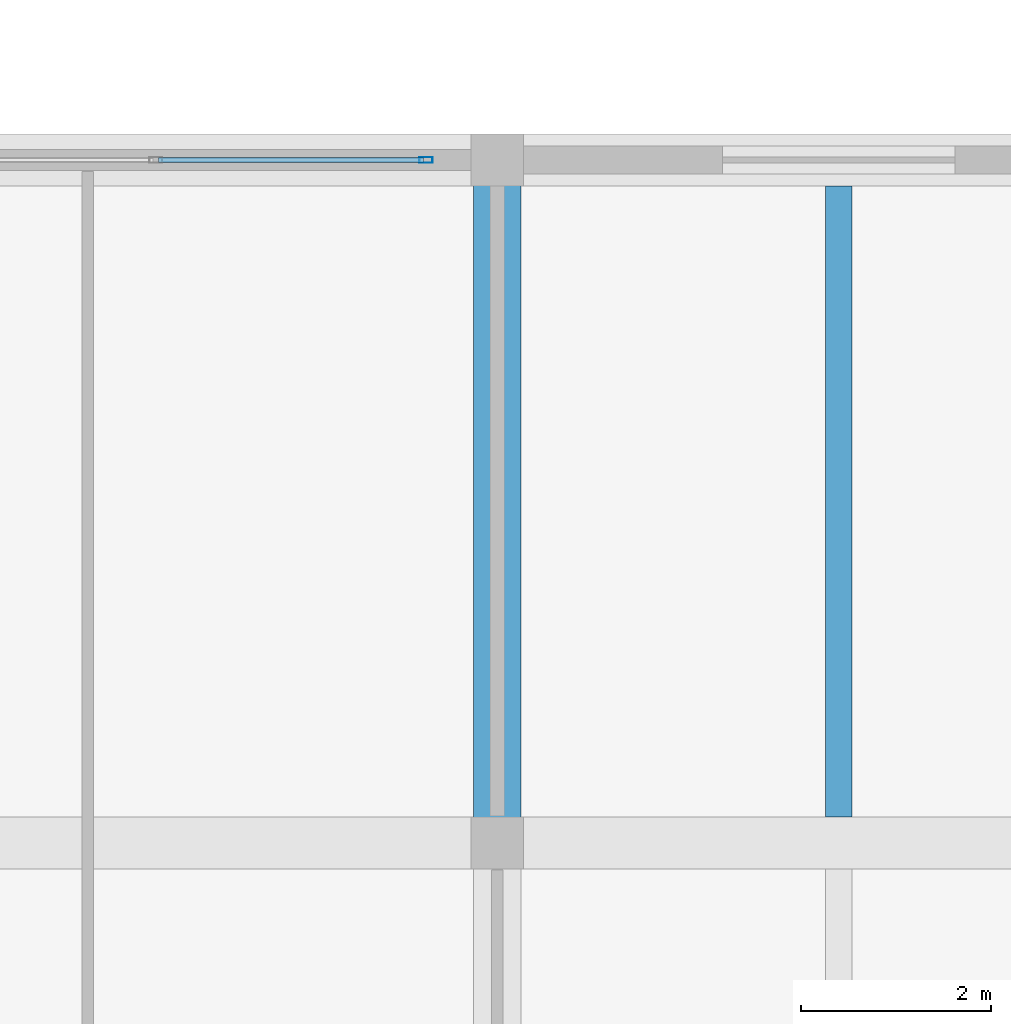
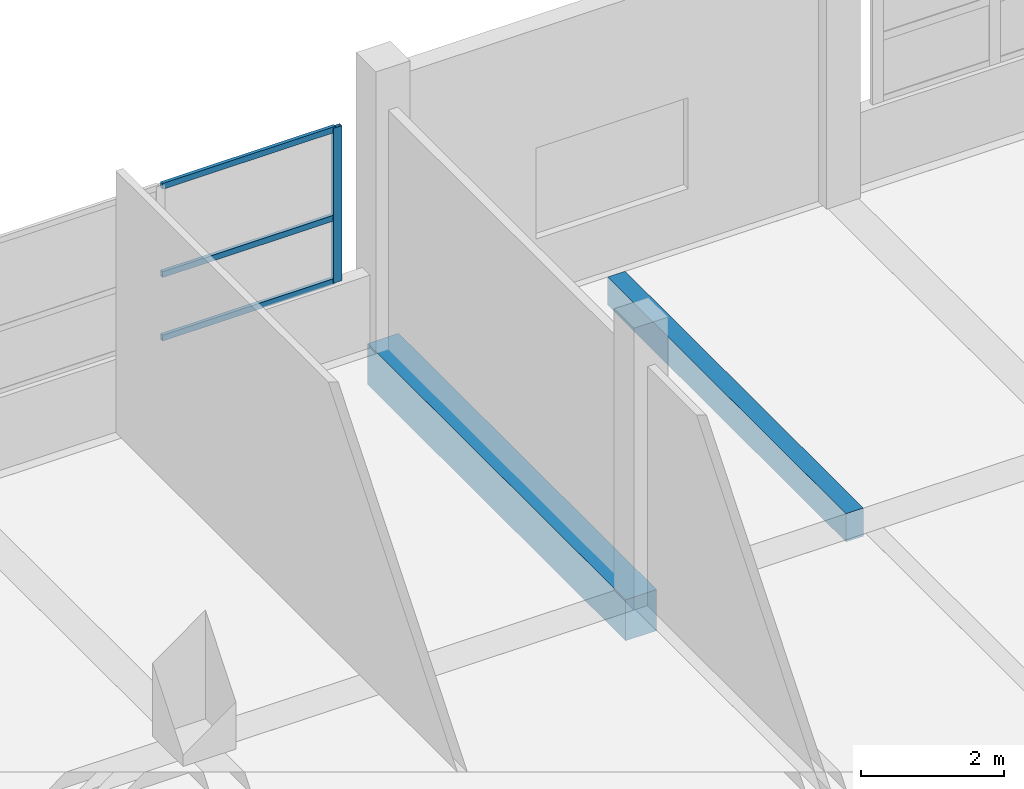
# One storey, part 113 of 181: 4 members, 2 beams, 1 element without a shape of its own.
"""IFC4 building model written with IfcOpenShell, lengths in metres."""

from ifc_helpers import new_model, si_unit, direction, frame, origin, origin_2d, place, context, subcontext, project, spatial, rectangle, hollow_rectangle, extrude, material, layer, layer_set, material_profile, profile_set, type_object, element, aggregate, save


model = new_model("IFC4")

# Units and contexts
model_context = context("Model", 3, precision=1e-05, world=origin(), true_north=direction((0.0, 1.0)))
body_context = subcontext(model_context, "Body", "Model", "MODEL_VIEW")
ifc_project = project(units=[si_unit("LENGTHUNIT", "METRE"), si_unit("AREAUNIT", "SQUARE_METRE"), si_unit("VOLUMEUNIT", "CUBIC_METRE"), si_unit("PLANEANGLEUNIT", "RADIAN"), si_unit("MASSUNIT", "GRAM", prefix="KILO")], contexts=[model_context])

# Site, building, storey
site_placement = place(None, origin())
site = spatial("IfcSite", under=ifc_project, at=site_placement, CompositionType="ELEMENT")
building_placement = place(site_placement, origin())
building = spatial("IfcBuilding", under=site, at=building_placement, Name="Seraya Terrace Polytechnic", CompositionType="ELEMENT")
storey_placement = place(building_placement, frame((0.0, 0.0, 4.800048828125)))
storey = spatial("IfcBuildingStorey", under=building, at=storey_placement, Name="L01", CompositionType="ELEMENT", Elevation=4.800048828125)

# Beam
ifc_material_1 = material(Name="Concrete C40/50", Category="concrete")
ifc_material_profile_1 = material_profile(ifc_material_1, rectangle(XDim=0.5, YDim=0.699951171875, at=origin_2d()), Name="RC 500x700")
ifc_profile_set_1 = profile_set([ifc_material_profile_1], Name="Concrete C40/50")
beam_type_1 = type_object("IfcBeamType", Name="BM-07", PredefinedType="BEAM", material=ifc_profile_set_1)
beam_1_placement = place(storey_placement, frame((129.60009765625, 28.800048828125, -0.35009765625), z_axis=(0.0, 1.0, 0.0), x_axis=(-1.0, 0.0, 0.0)))
element("IfcBeam", 1, at=beam_1_placement, inside=storey, type_object=beam_type_1, Name="Beam BM-07 L01 Y (129.6, 28.8..36.0)", PredefinedType="BEAM", context=body_context, shape_type="SweptSolid", body=[
    extrude(rectangle(XDim=0.5, YDim=0.699951171875, at=origin_2d()), origin(), (0.0, 0.0, 1.0), 7.199951171875),
])

# Curtain wall, members
ifc_material_2 = material(Name="Anodised aluminium EN AW-6063 T6", Category="aluminium")
ifc_layer = layer(ifc_material_2, 0.179931640625, Name="CW-18")
ifc_layer_set = layer_set([ifc_layer], Name="Anodised aluminium EN AW-6063 T6")
curtain_wall_type = type_object("IfcCurtainWallType", Name="CW-18", PredefinedType="NOTDEFINED", material=ifc_layer_set)
curtain_wall_placement = place(storey_placement, origin())
curtain_wall = element("IfcCurtainWall", 2, at=curtain_wall_placement, inside=storey, type_object=curtain_wall_type, Name="Unitised curtain wall CW-18 (CW-L01-054)", PredefinedType="NOTDEFINED")
ifc_material_profile_2 = material_profile(ifc_material_2, hollow_rectangle(XDim=0.06005859375, YDim=0.139892578125, WallThickness=0.00341796875, at=origin_2d()), Name="RHS 140x60x3.5")
ifc_profile_set_2 = profile_set([ifc_material_profile_2], Name="Anodised aluminium EN AW-6063 T6")
member_type_1 = type_object("IfcMemberType", Name="CWM-03", PredefinedType="MULLION", material=ifc_profile_set_2)
member_1_placement = place(storey_placement, frame((128.85009765625, 36.0, 1.239990234375), z_axis=(0.0, 0.0, 1.0), x_axis=(0.0, 1.0, 0.0)))
member_1 = element("IfcMember", 3, at=member_1_placement, type_object=member_type_1, Name="CW-18 mullion 3", PredefinedType="MULLION", context=body_context, shape_type="SweptSolid", body=[
    extrude(hollow_rectangle(XDim=0.06005859375, YDim=0.139892578125, WallThickness=0.00341796875, at=origin_2d()), origin(), (0.0, 0.0, 1.0), 2.639892578125),
])
ifc_material_profile_3 = material_profile(ifc_material_2, hollow_rectangle(XDim=0.054931640625, YDim=0.10009765625, WallThickness=0.0029296875, at=origin_2d()), Name="RHS 100x55x3.0")
ifc_profile_set_3 = profile_set([ifc_material_profile_3], Name="Anodised aluminium EN AW-6063 T6")
member_type_2 = type_object("IfcMemberType", Name="CWT-03", PredefinedType="USERDEFINED", material=ifc_profile_set_3)
member_2_placement = place(storey_placement, frame((126.030029296875, 36.0, 1.267333984375), z_axis=(1.0, 0.0, 0.0), x_axis=(0.0, 1.0, 0.0)))
member_2 = element("IfcMember", 4, at=member_2_placement, type_object=member_type_2, Name="CW-18 transom 2.1", ObjectType="TRANSOM", PredefinedType="USERDEFINED", context=body_context, shape_type="SweptSolid", body=[
    extrude(hollow_rectangle(XDim=0.054931640625, YDim=0.10009765625, WallThickness=0.0029296875, at=origin_2d()), origin(), (0.0, 0.0, 1.0), 2.7900390625),
])
member_3_placement = place(storey_placement, frame((126.030029296875, 36.0, 2.3486328125), z_axis=(1.0, 0.0, 0.0), x_axis=(0.0, 1.0, 0.0)))
member_3 = element("IfcMember", 5, at=member_3_placement, type_object=member_type_2, Name="CW-18 transom 2.2", ObjectType="TRANSOM", PredefinedType="USERDEFINED", context=body_context, shape_type="SweptSolid", body=[
    extrude(hollow_rectangle(XDim=0.054931640625, YDim=0.10009765625, WallThickness=0.0029296875, at=origin_2d()), origin(), (0.0, 0.0, 1.0), 2.7900390625),
])
member_4_placement = place(storey_placement, frame((126.030029296875, 36.0, 3.8525390625), z_axis=(1.0, 0.0, 0.0), x_axis=(0.0, 1.0, 0.0)))
member_4 = element("IfcMember", 6, at=member_4_placement, type_object=member_type_2, Name="CW-18 transom 2.3", ObjectType="TRANSOM", PredefinedType="USERDEFINED", context=body_context, shape_type="SweptSolid", body=[
    extrude(hollow_rectangle(XDim=0.054931640625, YDim=0.10009765625, WallThickness=0.0029296875, at=origin_2d()), origin(), (0.0, 0.0, 1.0), 2.7900390625),
])
aggregate(curtain_wall, [member_1, member_2, member_3, member_4])

# Beam
ifc_material_profile_4 = material_profile(ifc_material_1, rectangle(XDim=0.280029296875, YDim=0.47998046875, at=origin_2d()), Name="RC 280x480")
ifc_profile_set_4 = profile_set([ifc_material_profile_4], Name="Concrete C40/50")
beam_type_2 = type_object("IfcBeamType", Name="JS-07", PredefinedType="JOIST", material=ifc_profile_set_4)
beam_2_placement = place(storey_placement, frame((133.199951171875, 29.074951171875, -0.239990234375), z_axis=(0.0, 1.0, 0.0), x_axis=(-1.0, 0.0, 0.0)))
element("IfcBeam", 7, at=beam_2_placement, inside=storey, type_object=beam_type_2, Name="Secondary joist JS-07 L01", PredefinedType="JOIST", context=body_context, shape_type="SweptSolid", body=[
    extrude(rectangle(XDim=0.280029296875, YDim=0.47998046875, at=origin_2d()), origin(), (0.0, 0.0, 1.0), 6.650146484375),
])

save(model, "model.ifc")
